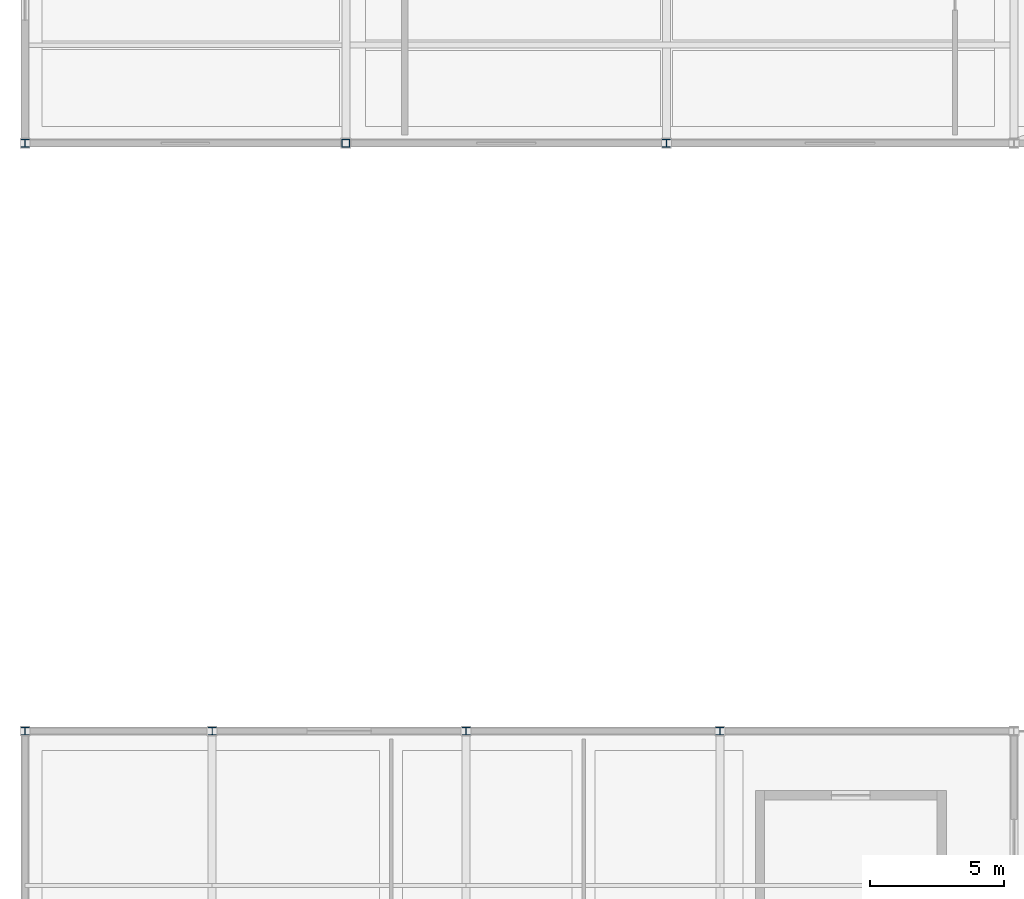
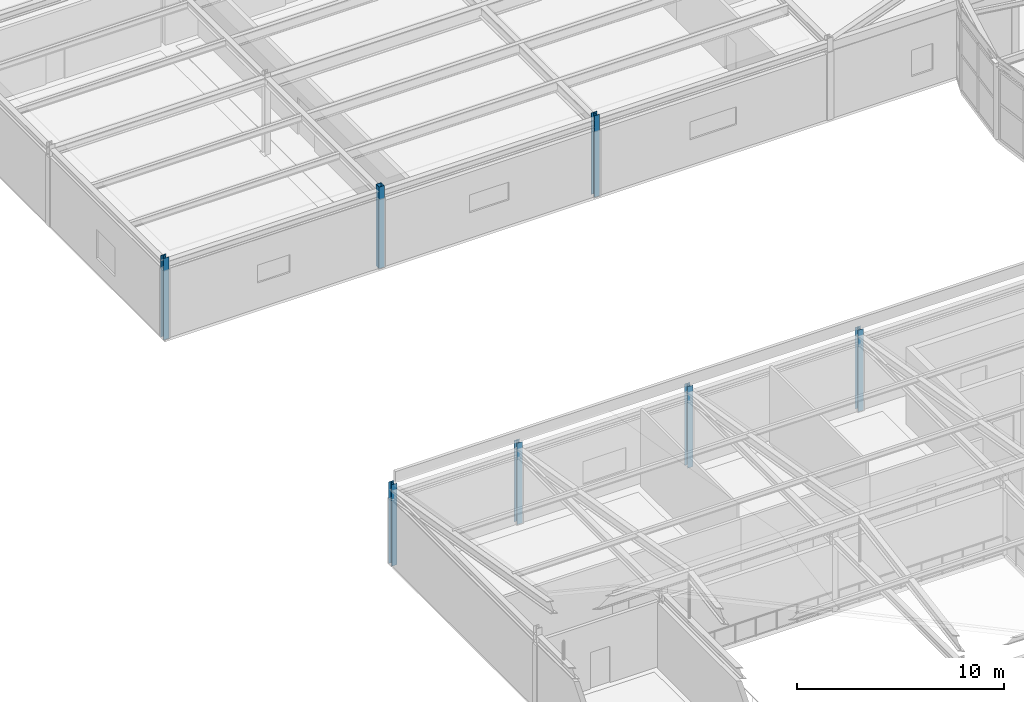
# One storey, part 3 of 108: 7 columns.
"""IFC4 building model written with IfcOpenShell, lengths in metres."""

import ifcopenshell
import ifcopenshell.guid

model = None  # the IFC model being written
_history = None  # IfcOwnerHistory: only IFC2X3 demands one
_inside = {}  # id of a spatial element -> (the spatial element, [elements in it])
_under = {}  # id of a project, library or spatial element -> (it, [spatial elements below it])
_declared = {}  # id of a project -> (the project, [libraries it declares])
_typed = {}  # id of a type object -> (the type object, [elements of that type])
_made_of = {}  # id of a material, layer set ... -> (it, [elements and type objects made of it])


def new_model(schema):
    """Start an empty IFC model of exactly this schema.

    Asked for "IFC4X3", IfcOpenShell would pick the latest addendum, in which some entities
    have other attributes; the version numbers below select the first issue.
    IFC2X3 requires an IfcOwnerHistory on every rooted entity: one is made here for all.
    """
    global model, _history
    if schema == "IFC4X3":
        model = ifcopenshell.file(schema_version=(4, 3, 0, 0))
    else:
        model = ifcopenshell.file(schema=schema)
    _inside.clear()
    _under.clear()
    _declared.clear()
    _typed.clear()
    _made_of.clear()
    _history = None
    if model.schema == "IFC2X3":
        org = make("IfcOrganization", Name="unknown")
        user = make(
            "IfcPersonAndOrganization",
            ThePerson=make("IfcPerson", FamilyName="unknown"),
            TheOrganization=org,
        )
        app = make(
            "IfcApplication",
            ApplicationDeveloper=org,
            Version="unknown",
            ApplicationFullName="unknown",
            ApplicationIdentifier="unknown",
        )
        _history = make(
            "IfcOwnerHistory",
            OwningUser=user,
            OwningApplication=app,
            ChangeAction="ADDED",
            CreationDate=0,
        )
    return model


def make(cls, **values):
    """One entity of the class cls with the attributes given. An attribute that is None is left unset."""
    return model.create_entity(
        cls, **{name: value for name, value in values.items() if value is not None}
    )


def rooted(cls, **values):
    """An entity with a GlobalId (a new one), such as an element, a storey or a relation."""
    return make(cls, GlobalId=ifcopenshell.guid.new(), OwnerHistory=_history, **values)


def si_unit(unit_type, name, prefix=None):
    """IfcSIUnit, for example si_unit("LENGTHUNIT", "METRE", prefix="MILLI")."""
    return make("IfcSIUnit", UnitType=unit_type, Prefix=prefix, Name=name)


def assignment(units):
    """IfcUnitAssignment: the units of a project."""
    return None if units is None else make("IfcUnitAssignment", Units=units)


def point(xyz):
    """IfcCartesianPoint."""
    return None if xyz is None else make("IfcCartesianPoint", Coordinates=xyz)


def direction(xyz):
    """IfcDirection."""
    return None if xyz is None else make("IfcDirection", DirectionRatios=xyz)


def frame(location, z_axis=None, x_axis=None):
    """IfcAxis2Placement3D, a coordinate frame: its origin and axes. An axis left out is left unset."""
    return make(
        "IfcAxis2Placement3D",
        Location=point(location),
        Axis=direction(z_axis),
        RefDirection=direction(x_axis),
    )


def frame_2d(location, x_axis=None):
    """IfcAxis2Placement2D, a coordinate frame in the plane: its origin and x axis."""
    return make(
        "IfcAxis2Placement2D", Location=point(location), RefDirection=direction(x_axis)
    )


def origin():
    """The frame at (0, 0, 0) with its axes left unset."""
    return frame((0.0, 0.0, 0.0))


def origin_2d():
    """The frame at (0, 0) in the plane with its x axis left unset."""
    return frame_2d((0.0, 0.0))


def place(relative_to, where):
    """IfcLocalPlacement: puts the frame where relative to a parent placement (None: the world)."""
    return make(
        "IfcLocalPlacement", PlacementRelTo=relative_to, RelativePlacement=where
    )


def context(
    kind, dimensions, precision=None, world=None, true_north=None, identifier=None
):
    """IfcGeometricRepresentationContext, for example the 3D "Model" context."""
    return make(
        "IfcGeometricRepresentationContext",
        ContextIdentifier=identifier,
        ContextType=kind,
        CoordinateSpaceDimension=dimensions,
        Precision=precision,
        WorldCoordinateSystem=world,
        TrueNorth=true_north,
    )


def subcontext(parent, identifier, kind, view, scale=None):
    """IfcGeometricRepresentationSubContext, for example "Body" below "Model"."""
    return make(
        "IfcGeometricRepresentationSubContext",
        ContextIdentifier=identifier,
        ContextType=kind,
        ParentContext=parent,
        TargetScale=scale,
        TargetView=view,
    )


def project(units=None, contexts=None):
    """IfcProject with its units and contexts."""
    return rooted(
        "IfcProject",
        Name="project",
        RepresentationContexts=contexts,
        UnitsInContext=assignment(units),
    )


def spatial(cls, under=None, at=None, **own):
    """A site, building, storey or space (cls), placed at a placement, below another one or the project."""
    s = rooted(cls, ObjectPlacement=at, **own)
    if under is not None:
        _under.setdefault(under.id(), (under, []))[1].append(s)
    return s


def profile(cls, at=None, kind="AREA", **sizes):
    """A parametric profile (cls). Its sizes go by their IFC names, for example OverallWidth=200.0."""
    return make(cls, ProfileType=kind, Position=at, **sizes)


def hollow_rectangle(**sizes):
    """IfcRectangleHollowProfileDef."""
    return profile("IfcRectangleHollowProfileDef", **sizes)


def i_section(**sizes):
    """IfcIShapeProfileDef."""
    return profile("IfcIShapeProfileDef", **sizes)


def extrude(swept, where, along, depth):
    """IfcExtrudedAreaSolid: the profile swept, set in the frame where, extruded along a direction by depth."""
    return make(
        "IfcExtrudedAreaSolid",
        SweptArea=swept,
        Position=where,
        ExtrudedDirection=direction(along),
        Depth=depth,
    )


def shape(context_of_items, identifier, shape_type, items):
    """IfcShapeRepresentation: the items that make up one representation, for example the "Body"."""
    return make(
        "IfcShapeRepresentation",
        ContextOfItems=context_of_items,
        RepresentationIdentifier=identifier,
        RepresentationType=shape_type,
        Items=items,
    )


def material(Name=None, Category=None):
    """IfcMaterial."""
    return make("IfcMaterial", Name=Name, Category=Category)


def material_profile(
    of_material, cross_section, Name=None, Category=None, Priority=None
):
    """IfcMaterialProfile: a cross section and its material."""
    return make(
        "IfcMaterialProfile",
        Name=Name,
        Material=of_material,
        Profile=cross_section,
        Priority=Priority,
        Category=Category,
    )


def profile_set(profiles, Name=None, composite=None):
    """IfcMaterialProfileSet."""
    return make(
        "IfcMaterialProfileSet",
        Name=Name,
        MaterialProfiles=profiles,
        CompositeProfile=composite,
    )


def made_of(thing, what):
    """Note that an element or type object is made of a material, layer set ...; save() writes the relation."""
    if what is not None:
        _made_of.setdefault(what.id(), (what, []))[1].append(thing)
    return thing


def type_object(cls, material=None, **own):
    """A type object (cls), such as IfcWallType, which elements share."""
    return made_of(rooted(cls, **own), material)


def element(
    cls,
    number,
    at=None,
    inside=None,
    cuts=None,
    type_object=None,
    material=None,
    context=None,
    identifier="Body",
    shape_type=None,
    held_by="IfcProductDefinitionShape",
    body=None,
    shapes=None,
    **own,
):
    """One element of the class cls, such as IfcWall. Its Tag is "e" and its number.

    at: its placement. inside: the storey or other place that contains it. cuts: it is an
    opening in that element (IfcRelVoidsElement). A single representation is given by context,
    identifier, shape_type and body (its items); several are given by shapes. held_by: the class
    of the entity that holds the representations. save() writes the other relations.
    """
    e = rooted(cls, Tag="e%d" % number, ObjectPlacement=at, **own)
    if body is not None:
        shapes = [shape(context, identifier, shape_type, body)]
    if shapes is not None:
        e.Representation = make(held_by, Representations=shapes)
    if inside is not None:
        _inside.setdefault(inside.id(), (inside, []))[1].append(e)
    if cuts is not None:
        rooted(
            "IfcRelVoidsElement", RelatingBuildingElement=cuts, RelatedOpeningElement=e
        )
    if type_object is not None:
        _typed.setdefault(type_object.id(), (type_object, []))[1].append(e)
    return made_of(e, material)


def aggregate(whole, parts):
    """IfcRelAggregates: a whole, such as a stair, and the parts it consists of."""
    return rooted("IfcRelAggregates", RelatingObject=whole, RelatedObjects=parts)


def save(model, path):
    """Write the relations noted so far, then the file.

    IfcRelAggregates (storeys below a building ...), IfcRelContainedInSpatialStructure (elements
    in a storey), IfcRelDefinesByType, IfcRelAssociatesMaterial and IfcRelDeclares: one each for
    every whole, place, type object, material and project.
    """
    for whole, parts in _under.values():
        aggregate(whole, parts)
    for where, things in _inside.values():
        rooted(
            "IfcRelContainedInSpatialStructure",
            RelatedElements=things,
            RelatingStructure=where,
        )
    for kind, things in _typed.values():
        rooted("IfcRelDefinesByType", RelatedObjects=things, RelatingType=kind)
    for what, things in _made_of.values():
        rooted("IfcRelAssociatesMaterial", RelatedObjects=things, RelatingMaterial=what)
    for by, libraries in _declared.values():
        rooted("IfcRelDeclares", RelatingContext=by, RelatedDefinitions=libraries)
    model.write(path)


model = new_model("IFC4")

# Units and contexts
model_context = context("Model", 3, precision=1e-05, world=origin(), true_north=direction((0.0, 1.0)))
body_context = subcontext(model_context, "Body", "Model", "MODEL_VIEW")
ifc_project = project(units=[si_unit("LENGTHUNIT", "METRE"), si_unit("AREAUNIT", "SQUARE_METRE"), si_unit("VOLUMEUNIT", "CUBIC_METRE"), si_unit("PLANEANGLEUNIT", "RADIAN"), si_unit("MASSUNIT", "GRAM", prefix="KILO")], contexts=[model_context])

# Site, building, storey
site_placement = place(None, origin())
site = spatial("IfcSite", under=ifc_project, at=site_placement, CompositionType="ELEMENT")
building_placement = place(site_placement, origin())
building = spatial("IfcBuilding", under=site, at=building_placement, Name="Tarnveldt Headland Concert Hall", CompositionType="ELEMENT")
storey_placement = place(building_placement, frame((0.0, 0.0, 9.60009765625)))
storey = spatial("IfcBuildingStorey", under=building, at=storey_placement, Name="L02", CompositionType="ELEMENT", Elevation=9.60009765625)

# Columns
ifc_material = material(Name="Steel S355", Category="steel")
ifc_material_profile_1 = material_profile(ifc_material, i_section(OverallWidth=0.300048828125, OverallDepth=0.2900390625, WebThickness=0.008544921875, FlangeThickness=0.013916015625, FilletRadius=0.027099609375, at=origin_2d()), Name="HEA300", Category="steel")
ifc_profile_set_1 = profile_set([ifc_material_profile_1], Name="Steel S355")
column_type_1 = type_object("IfcColumnType", Name="SC-HEA300", PredefinedType="COLUMN", material=ifc_profile_set_1)
for number, where, z_axis, x_axis, name in (
    (1, (33.5, 38.0, 0.0), (0.0, 0.0, 1.0), (1.0, 0.0, 0.0), "Column V4C09 L02"),
    (2, (24.0, 38.0, 0.0), (0.0, 0.0, 1.0), (1.0, 0.0, 0.0), "Column V4C10 L02"),
    (3, (14.5, 38.0, 0.0), (0.0, 0.0, 1.0), (1.0, 0.0, 0.0), "Column V4C11 L02"),
    (4, (7.5, 38.0, 0.0), (0.0, 0.0, 1.0), (1.0, 0.0, 0.0), "Column V4C12 L02"),
):
    element("IfcColumn", number, at=place(storey_placement, frame(where, z_axis=z_axis, x_axis=x_axis)), inside=storey, type_object=column_type_1, Name=name, PredefinedType="COLUMN", context=body_context, shape_type="SweptSolid", body=[
        extrude(i_section(OverallWidth=0.300048828125, OverallDepth=0.2900390625, WebThickness=0.008544921875, FlangeThickness=0.013916015625, FilletRadius=0.027099609375, at=origin_2d()), origin(), (0.0, 0.0, 1.0), 4.7998046875),
    ])
ifc_material_profile_2 = material_profile(ifc_material, i_section(OverallWidth=0.300048828125, OverallDepth=0.300048828125, WebThickness=0.010986328125, FlangeThickness=0.01904296875, FilletRadius=0.027099609375, at=origin_2d()), Name="HEB300", Category="steel")
ifc_profile_set_2 = profile_set([ifc_material_profile_2], Name="Steel S355")
column_type_2 = type_object("IfcColumnType", Name="SC-HEB300", PredefinedType="COLUMN", material=ifc_profile_set_2)
for number, where, z_axis, x_axis, name in (
    (5, (7.5, 60.0, 0.0), (0.0, 0.0, 1.0), (1.0, 0.0, 0.0), "Column V5C01 L02"),
    (6, (31.5, 60.0, 0.0), (0.0, 0.0, 1.0), (1.0, 0.0, 0.0), "Column V5C11 L02"),
):
    element("IfcColumn", number, at=place(storey_placement, frame(where, z_axis=z_axis, x_axis=x_axis)), inside=storey, type_object=column_type_2, Name=name, PredefinedType="COLUMN", context=body_context, shape_type="SweptSolid", body=[
        extrude(i_section(OverallWidth=0.300048828125, OverallDepth=0.300048828125, WebThickness=0.010986328125, FlangeThickness=0.01904296875, FilletRadius=0.027099609375, at=origin_2d()), origin(), (0.0, 0.0, 1.0), 4.7998046875),
    ])
ifc_material_profile_3 = material_profile(ifc_material, hollow_rectangle(XDim=0.300048828125, YDim=0.300048828125, WallThickness=0.01611328125, at=origin_2d()), Name="SHS 300x300x16", Category="steel")
ifc_profile_set_3 = profile_set([ifc_material_profile_3], Name="Steel S355")
column_type_3 = type_object("IfcColumnType", Name="SC-SHS300", PredefinedType="COLUMN", material=ifc_profile_set_3)
column_placement = place(storey_placement, frame((19.5, 60.0, 0.0), z_axis=(0.0, 0.0, 1.0), x_axis=(1.0, 0.0, 0.0)))
element("IfcColumn", 7, at=column_placement, inside=storey, type_object=column_type_3, Name="Column V5C05 L02", PredefinedType="COLUMN", context=body_context, shape_type="SweptSolid", body=[
    extrude(hollow_rectangle(XDim=0.300048828125, YDim=0.300048828125, WallThickness=0.01611328125, at=origin_2d()), origin(), (0.0, 0.0, 1.0), 4.7998046875),
])

save(model, "model.ifc")
